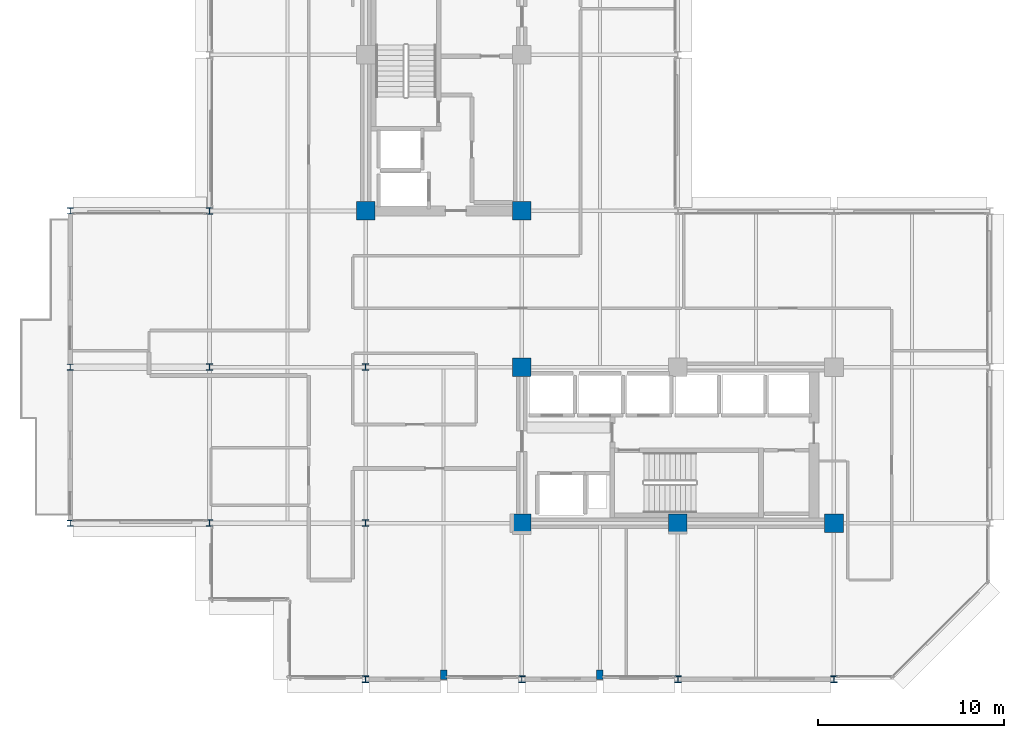
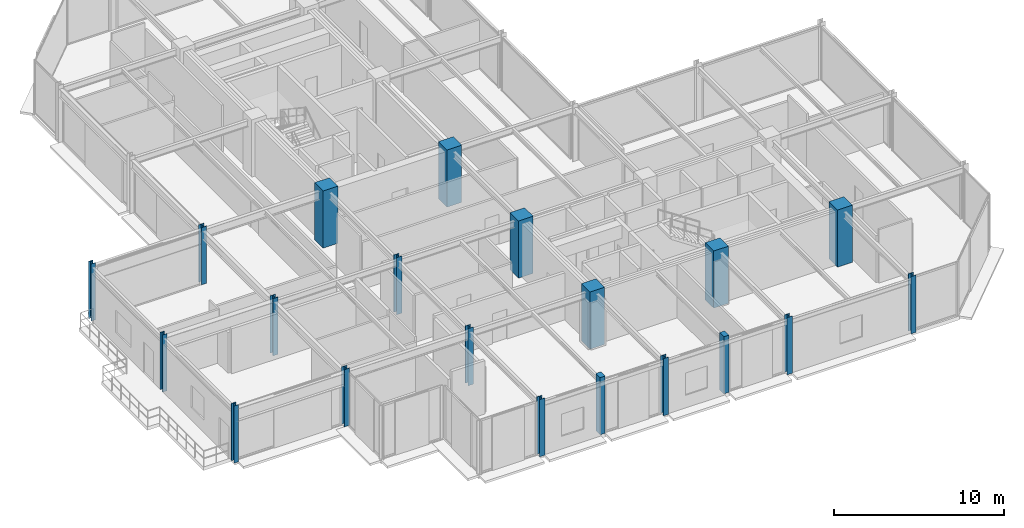
# One storey, part 1 of 29: 20 columns.
"""IFC4 building model written with IfcOpenShell, lengths in metres."""

from ifc_helpers import new_model, si_unit, direction, frame, origin, origin_2d, place, context, subcontext, project, spatial, rectangle, i_section, extrude, material, material_profile, profile_set, type_object, element, save


model = new_model("IFC4")

# Units and contexts
model_context = context("Model", 3, precision=1e-05, world=origin(), true_north=direction((0.0, 1.0)))
body_context = subcontext(model_context, "Body", "Model", "MODEL_VIEW")
ifc_project = project(units=[si_unit("LENGTHUNIT", "METRE"), si_unit("AREAUNIT", "SQUARE_METRE"), si_unit("VOLUMEUNIT", "CUBIC_METRE"), si_unit("PLANEANGLEUNIT", "RADIAN"), si_unit("MASSUNIT", "GRAM", prefix="KILO")], contexts=[model_context])

# Site, building, storey
site_placement = place(None, origin())
site = spatial("IfcSite", under=ifc_project, at=site_placement, CompositionType="ELEMENT")
building_placement = place(site_placement, origin())
building = spatial("IfcBuilding", under=site, at=building_placement, Name="Nerrivon Quay Data Exchange", CompositionType="ELEMENT")
storey_placement = place(building_placement, frame((0.0, 0.0, 204.199951171875)))
storey = spatial("IfcBuildingStorey", under=building, at=storey_placement, Name="L48", CompositionType="ELEMENT", Elevation=204.199951171875)

# Columns
ifc_material_1 = material(Name="Concrete S65 (65 MPa)", Category="concrete")
ifc_material_profile_1 = material_profile(ifc_material_1, rectangle(XDim=1.0, YDim=1.0, at=origin_2d()), Name="RC-COL-1000x1000")
ifc_profile_set_1 = profile_set([ifc_material_profile_1], Name="Concrete S65 (65 MPa)")
column_type_1 = type_object("IfcColumnType", Name="COL-C4-1000", PredefinedType="COLUMN", material=ifc_profile_set_1)
for number, where, z_axis, x_axis, name in (
    (1, (8.39990234375, 25.199951171875, 0.0), (0.0, 0.0, 1.0), (1.0, 0.0, 0.0), "L48 Column (8.4,25.2)"),
    (2, (16.800048828125, 8.39990234375, 0.0), (0.0, 0.0, 1.0), (1.0, 0.0, 0.0), "L48 Column (16.8,8.4)"),
    (3, (16.800048828125, 16.800048828125, 0.0), (0.0, 0.0, 1.0), (1.0, 0.0, 0.0), "L48 Column (16.8,16.8)"),
    (4, (16.800048828125, 25.199951171875, 0.0), (0.0, 0.0, 1.0), (1.0, 0.0, 0.0), "L48 Column (16.8,25.2)"),
    (5, (25.199951171875, 8.39990234375, 0.0), (0.0, 0.0, 1.0), (1.0, 0.0, 0.0), "L48 Column (25.2,8.4)"),
    (6, (33.60009765625, 8.39990234375, 0.0), (0.0, 0.0, 1.0), (1.0, 0.0, 0.0), "L48 Column (33.6,8.4)"),
):
    element("IfcColumn", number, at=place(storey_placement, frame(where, z_axis=z_axis, x_axis=x_axis)), inside=storey, type_object=column_type_1, Name=name, PredefinedType="COLUMN", context=body_context, shape_type="SweptSolid", body=[
        extrude(rectangle(XDim=1.0, YDim=1.0, at=origin_2d()), origin(), (0.0, 0.0, 1.0), 4.10009765625),
    ])
ifc_material_2 = material(Name="Steel Grade 350", Category="steel")
ifc_material_profile_2 = material_profile(ifc_material_2, i_section(OverallWidth=0.35009765625, OverallDepth=0.35009765625, WebThickness=0.02001953125, FlangeThickness=0.031982421875, at=origin_2d()), Name="350WC230")
ifc_profile_set_2 = profile_set([ifc_material_profile_2], Name="Steel Grade 350")
column_type_2 = type_object("IfcColumnType", Name="COL-SC3-350WC", PredefinedType="COLUMN", material=ifc_profile_set_2)
for number, where, z_axis, x_axis, name in (
    (7, (0.0, 8.39990234375, 0.0), (0.0, 0.0, 1.0), (1.0, 0.0, 0.0), "L48 Column (0.0,8.4)"),
    (8, (0.0, 16.800048828125, 0.0), (0.0, 0.0, 1.0), (1.0, 0.0, 0.0), "L48 Column (0.0,16.8)"),
    (9, (0.0, 25.199951171875, 0.0), (0.0, 0.0, 1.0), (1.0, 0.0, 0.0), "L48 Column (0.0,25.2)"),
    (10, (8.39990234375, 0.0, 0.0), (0.0, 0.0, 1.0), (1.0, 0.0, 0.0), "L48 Column (8.4,0.0)"),
    (11, (8.39990234375, 8.39990234375, 0.0), (0.0, 0.0, 1.0), (1.0, 0.0, 0.0), "L48 Column (8.4,8.4)"),
    (12, (8.39990234375, 16.800048828125, 0.0), (0.0, 0.0, 1.0), (1.0, 0.0, 0.0), "L48 Column (8.4,16.8)"),
    (13, (16.800048828125, 0.0, 0.0), (0.0, 0.0, 1.0), (1.0, 0.0, 0.0), "L48 Column (16.8,0.0)"),
    (14, (25.199951171875, 0.0, 0.0), (0.0, 0.0, 1.0), (1.0, 0.0, 0.0), "L48 Column (25.2,0.0)"),
    (15, (33.60009765625, 0.0, 0.0), (0.0, 0.0, 1.0), (1.0, 0.0, 0.0), "L48 Column (33.6,0.0)"),
):
    element("IfcColumn", number, at=place(storey_placement, frame(where, z_axis=z_axis, x_axis=x_axis)), inside=storey, type_object=column_type_2, Name=name, PredefinedType="COLUMN", context=body_context, shape_type="SweptSolid", body=[
        extrude(i_section(OverallWidth=0.35009765625, OverallDepth=0.35009765625, WebThickness=0.02001953125, FlangeThickness=0.031982421875, at=origin_2d()), origin(), (0.0, 0.0, 1.0), 4.10009765625),
    ])
ifc_material_profile_3 = material_profile(ifc_material_2, i_section(OverallWidth=0.31103515625, OverallDepth=0.326904296875, WebThickness=0.015625, FlangeThickness=0.02490234375, FilletRadius=0.0166015625, at=origin_2d()), Name="310UC158")
ifc_profile_set_3 = profile_set([ifc_material_profile_3], Name="Steel Grade 350")
column_type_3 = type_object("IfcColumnType", Name="COL-SC4-310UC158", PredefinedType="COLUMN", material=ifc_profile_set_3)
for number, where, z_axis, x_axis, name in (
    (16, (-7.5, 8.39990234375, 0.0), (0.0, 0.0, 1.0), (1.0, 0.0, 0.0), "L48 West Hooked Post (-7.5,8.4)"),
    (17, (-7.5, 16.800048828125, 0.0), (0.0, 0.0, 1.0), (1.0, 0.0, 0.0), "L48 West Hooked Post (-7.5,16.8)"),
    (18, (-7.5, 25.199951171875, 0.0), (0.0, 0.0, 1.0), (1.0, 0.0, 0.0), "L48 West Hooked Post (-7.5,25.2)"),
):
    element("IfcColumn", number, at=place(storey_placement, frame(where, z_axis=z_axis, x_axis=x_axis)), inside=storey, type_object=column_type_3, Name=name, PredefinedType="COLUMN", context=body_context, shape_type="SweptSolid", body=[
        extrude(i_section(OverallWidth=0.31103515625, OverallDepth=0.326904296875, WebThickness=0.015625, FlangeThickness=0.02490234375, FilletRadius=0.0166015625, at=origin_2d()), origin(), (0.0, 0.0, 1.0), 4.10009765625),
    ])
ifc_material_3 = material(Name="Concrete N50 (50 MPa)", Category="concrete")
ifc_material_profile_4 = material_profile(ifc_material_3, rectangle(XDim=0.35009765625, YDim=0.5, at=origin_2d()), Name="RC-PIL-500x350")
ifc_profile_set_4 = profile_set([ifc_material_profile_4], Name="Concrete N50 (50 MPa)")
column_type_4 = type_object("IfcColumnType", Name="PIL-P2-500x350", PredefinedType="PILASTER", material=ifc_profile_set_4)
for number, where, z_axis, x_axis, name in (
    (19, (12.60009765625, 0.25, 0.0), (0.0, 0.0, 1.0), (1.0, 0.0, 0.0), "L48 Facade Pilaster (12.6)"),
    (20, (21.0, 0.25, 0.0), (0.0, 0.0, 1.0), (1.0, 0.0, 0.0), "L48 Facade Pilaster (21.0)"),
):
    element("IfcColumn", number, at=place(storey_placement, frame(where, z_axis=z_axis, x_axis=x_axis)), inside=storey, type_object=column_type_4, Name=name, PredefinedType="PILASTER", context=body_context, shape_type="SweptSolid", body=[
        extrude(rectangle(XDim=0.35009765625, YDim=0.5, at=origin_2d()), origin(), (0.0, 0.0, 1.0), 4.10009765625),
    ])

save(model, "model.ifc")
